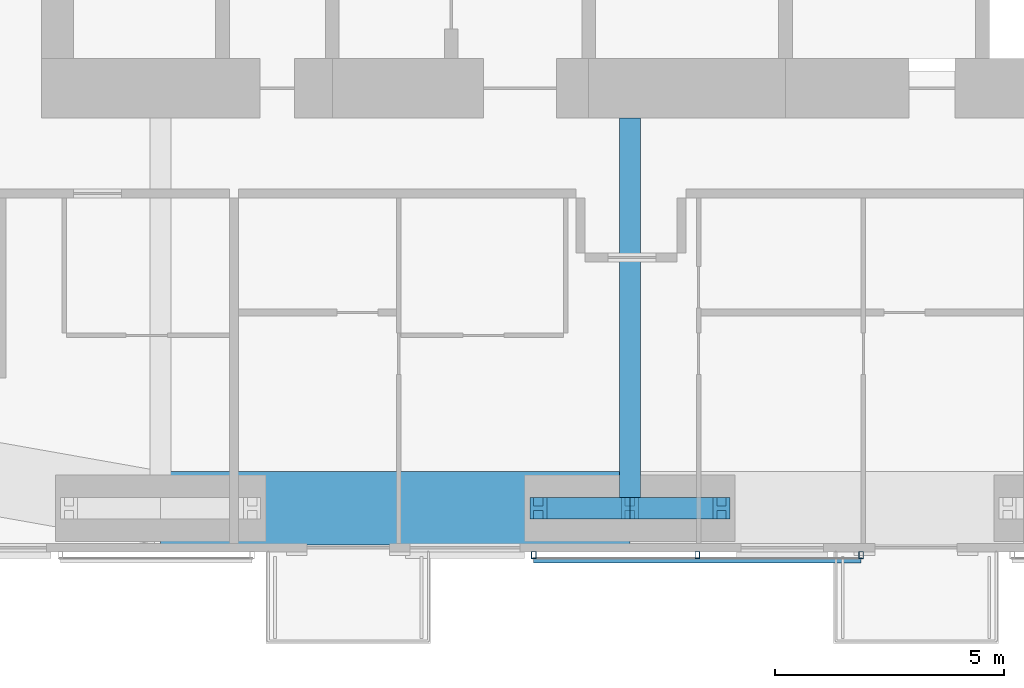
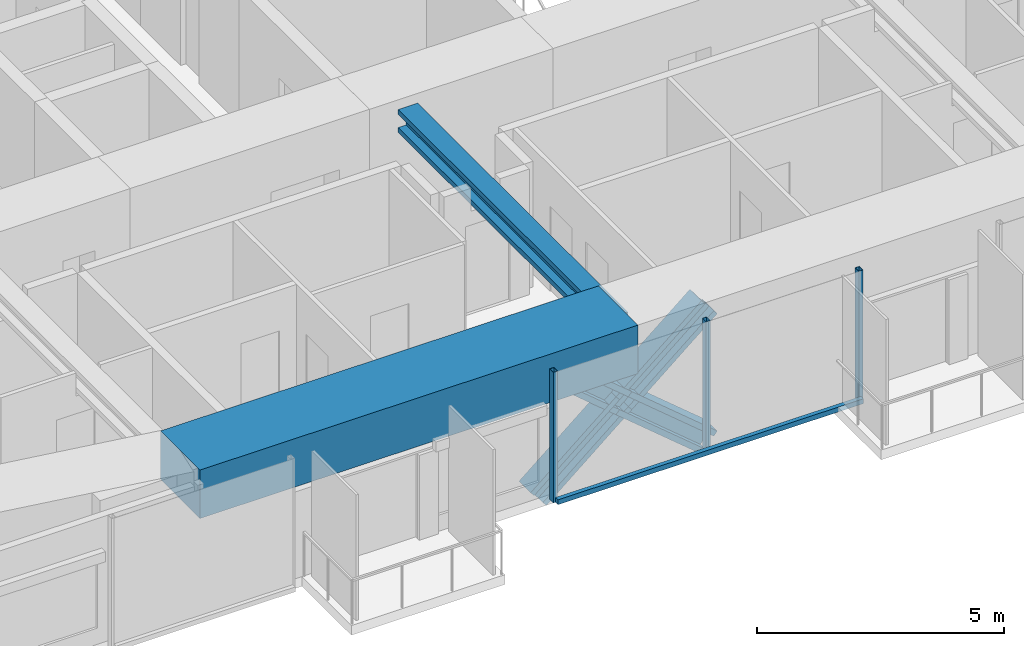
# One storey, part 3 of 22: 8 members, 2 beams, 1 element without a shape of its own.
"""IFC4 building model written with IfcOpenShell, lengths in metres."""

from ifc_helpers import new_model, si_unit, direction, frame, origin, origin_2d, place, context, subcontext, project, spatial, rectangle, hollow_rectangle, i_section, extrude, material, material_profile, profile_set, type_object, element, aggregate, save


model = new_model("IFC4")

# Units and contexts
model_context = context("Model", 3, precision=1e-05, world=origin(), true_north=direction((0.0, 1.0)))
body_context = subcontext(model_context, "Body", "Model", "MODEL_VIEW")
ifc_project = project(units=[si_unit("LENGTHUNIT", "METRE"), si_unit("AREAUNIT", "SQUARE_METRE"), si_unit("VOLUMEUNIT", "CUBIC_METRE"), si_unit("PLANEANGLEUNIT", "RADIAN"), si_unit("MASSUNIT", "GRAM", prefix="KILO")], contexts=[model_context])

# Site, building, storey
site_placement = place(None, origin())
site = spatial("IfcSite", under=ifc_project, at=site_placement, CompositionType="ELEMENT")
building_placement = place(site_placement, origin())
building = spatial("IfcBuilding", under=site, at=building_placement, Name="Jalousie Tower", CompositionType="ELEMENT")
storey_placement = place(building_placement, frame((0.0, 0.0, 177.800048828125)))
storey = spatial("IfcBuildingStorey", under=building, at=storey_placement, Name="L48", CompositionType="ELEMENT", Elevation=177.800048828125)

# Beam
ifc_material_1 = material(Name="Steel ASTM A992 Grade 50", Category="steel")
ifc_material_profile_1 = material_profile(ifc_material_1, i_section(OverallWidth=0.45458984375, OverallDepth=0.569091796875, WebThickness=0.077880859375, FlangeThickness=0.124755859375, at=origin_2d()), Name="W14X730")
ifc_profile_set_1 = profile_set([ifc_material_profile_1], Name="Steel ASTM A992 Grade 50")
beam_type_1 = type_object("IfcBeamType", Name="LEAN COLLECTOR W14X730", PredefinedType="BEAM", material=ifc_profile_set_1)
beam_1_placement = place(storey_placement, frame((32.5, 0.949951171875, 2.825439453125), z_axis=(0.0, 1.0, 0.0), x_axis=(-1.0, 0.0, 0.0)))
element("IfcBeam", 1, at=beam_1_placement, inside=storey, type_object=beam_type_1, Name="Lean collector under L49", PredefinedType="BEAM", context=body_context, shape_type="SweptSolid", body=[
    extrude(i_section(OverallWidth=0.45458984375, OverallDepth=0.569091796875, WebThickness=0.077880859375, FlangeThickness=0.124755859375, at=origin_2d()), origin(), (0.0, 0.0, 1.0), 8.525146484375),
])

# Members
ifc_material_2 = material(Name="Steel ASTM A992 Grade 50", Category="steel")
ifc_material_profile_2 = material_profile(ifc_material_2, i_section(OverallWidth=0.472412109375, OverallDepth=0.5791015625, WebThickness=0.094970703125, FlangeThickness=0.1298828125, at=origin_2d()), Name="W14X808")
ifc_profile_set_2 = profile_set([ifc_material_profile_2], Name="Steel ASTM A992 Grade 50")
member_type_1 = type_object("IfcMemberType", Name="PERIMETER BRACE W14X808", PredefinedType="BRACE", material=ifc_profile_set_2)
for number, where, z_axis, x_axis, name in (
    (2, (30.5, 0.949951171875, -0.60009765625), (0.766638753323, 0.0, 0.642078672674), (0.0, 1.0, 0.0), "Perimeter brace 03 L48 part 1"),
    (3, (32.5, 0.949951171875, 1.074951171875), (0.766638753323, 0.0, 0.642078672674), (0.0, 1.0, 0.0), "Perimeter brace 03 L48 part 2"),
    (4, (34.5, 0.949951171875, -0.60009765625), (-0.766638753323, 0.0, 0.642078672674), (0.0, -1.0, 0.0), "Perimeter brace 03 L48 part 3"),
    (5, (32.5, 0.949951171875, 1.074951171875), (-0.766638753323, 0.0, 0.642078672674), (0.0, -1.0, 0.0), "Perimeter brace 03 L48 part 4"),
):
    element("IfcMember", number, at=place(storey_placement, frame(where, z_axis=z_axis, x_axis=x_axis)), inside=storey, type_object=member_type_1, Name=name, PredefinedType="BRACE", context=body_context, shape_type="SweptSolid", body=[
        extrude(i_section(OverallWidth=0.472412109375, OverallDepth=0.5791015625, WebThickness=0.094970703125, FlangeThickness=0.1298828125, at=origin_2d()), origin(), (0.0, 0.0, 1.0), 2.60888671875),
    ])

# Beam
ifc_material_3 = material(Name="Concrete f'c 40 MPa", Category="concrete")
ifc_material_profile_3 = material_profile(ifc_material_3, rectangle(XDim=1.60009765625, YDim=1.199951171875, at=origin_2d()), Name="RC 1600x1200")
ifc_profile_set_3 = profile_set([ifc_material_profile_3], Name="Concrete f'c 40 MPa")
beam_type_2 = type_object("IfcBeamType", Name="RC BEAM 1600x1200", PredefinedType="BEAM", material=ifc_profile_set_3)
beam_2_placement = place(storey_placement, frame((22.25, 0.949951171875, 2.75), z_axis=(1.0, 0.0, 0.0), x_axis=(0.0, 1.0, 0.0)))
element("IfcBeam", 6, at=beam_2_placement, inside=storey, type_object=beam_type_2, Name="Edge band beam 02-03 under L49", PredefinedType="BEAM", context=body_context, shape_type="SweptSolid", body=[
    extrude(rectangle(XDim=1.60009765625, YDim=1.199951171875, at=origin_2d()), origin(), (0.0, 0.0, 1.0), 10.25),
])

# Curtain wall, members
ifc_material_4 = material(Name="Perforated aluminium sheet", Category="aluminium")
curtain_wall_type = type_object("IfcCurtainWallType", Name="SOLAR SCREEN SS-1", PredefinedType="USERDEFINED", material=ifc_material_4)
curtain_wall_placement = place(storey_placement, origin())
curtain_wall = element("IfcCurtainWall", 7, at=curtain_wall_placement, inside=storey, type_object=curtain_wall_type, Name="Solar screen L48", ObjectType="SOLAR SCREEN SS-1", PredefinedType="USERDEFINED")
ifc_material_5 = material(Name="Steel ASTM A500 Grade C", Category="steel")
ifc_material_profile_4 = material_profile(ifc_material_5, hollow_rectangle(XDim=0.1015625, YDim=0.15234375, WallThickness=0.00634765625, at=origin_2d()), Name="HSS6X4X1/4")
ifc_profile_set_4 = profile_set([ifc_material_profile_4], Name="Steel ASTM A500 Grade C")
member_type_2 = type_object("IfcMemberType", Name="SOLAR SCREEN SS-1 MULLION", PredefinedType="MULLION", material=ifc_profile_set_4)
member_1_placement = place(storey_placement, frame((30.39990234375, -0.0712890625, -0.1201171875), z_axis=(0.0, 0.0, 1.0), x_axis=(1.0, 0.0, 0.0)))
member_1 = element("IfcMember", 8, at=member_1_placement, type_object=member_type_2, Name="SS1 post 1", PredefinedType="MULLION", context=body_context, shape_type="SweptSolid", body=[
    extrude(hollow_rectangle(XDim=0.1015625, YDim=0.15234375, WallThickness=0.00634765625, at=origin_2d()), origin(), (0.0, 0.0, 1.0), 3.22998046875),
])
member_2_placement = place(storey_placement, frame((33.97509765625, -0.0712890625, -0.1201171875), z_axis=(0.0, 0.0, 1.0), x_axis=(1.0, 0.0, 0.0)))
member_2 = element("IfcMember", 9, at=member_2_placement, type_object=member_type_2, Name="SS1 post 2", PredefinedType="MULLION", context=body_context, shape_type="SweptSolid", body=[
    extrude(hollow_rectangle(XDim=0.1015625, YDim=0.15234375, WallThickness=0.00634765625, at=origin_2d()), origin(), (0.0, 0.0, 1.0), 3.22998046875),
])
member_3_placement = place(storey_placement, frame((37.550048828125, -0.0712890625, -0.1201171875), z_axis=(0.0, 0.0, 1.0), x_axis=(1.0, 0.0, 0.0)))
member_3 = element("IfcMember", 10, at=member_3_placement, type_object=member_type_2, Name="SS1 post 3", PredefinedType="MULLION", context=body_context, shape_type="SweptSolid", body=[
    extrude(hollow_rectangle(XDim=0.1015625, YDim=0.15234375, WallThickness=0.00634765625, at=origin_2d()), origin(), (0.0, 0.0, 1.0), 3.22998046875),
])
ifc_material_6 = material(Name="Extruded aluminium screen rail", Category="aluminium")
ifc_material_profile_5 = material_profile(ifc_material_6, rectangle(XDim=0.1015625, YDim=0.1201171875, at=origin_2d()), Name="RAIL 102x120")
ifc_profile_set_5 = profile_set([ifc_material_profile_5], Name="Extruded aluminium screen rail")
member_type_3 = type_object("IfcMemberType", Name="SOLAR SCREEN SS-1 TRANSOM", PredefinedType="USERDEFINED", material=ifc_profile_set_5)
member_4_placement = place(storey_placement, frame((30.39990234375, -0.1982421875, -0.06005859375), z_axis=(1.0, 0.0, 0.0), x_axis=(0.0, 1.0, 0.0)))
member_4 = element("IfcMember", 11, at=member_4_placement, type_object=member_type_3, Name="SS1 rail", ObjectType="TRANSOM", PredefinedType="USERDEFINED", context=body_context, shape_type="SweptSolid", body=[
    extrude(rectangle(XDim=0.1015625, YDim=0.1201171875, at=origin_2d()), origin(), (0.0, 0.0, 1.0), 7.150146484375),
])
aggregate(curtain_wall, [member_1, member_2, member_3, member_4])

save(model, "model.ifc")
